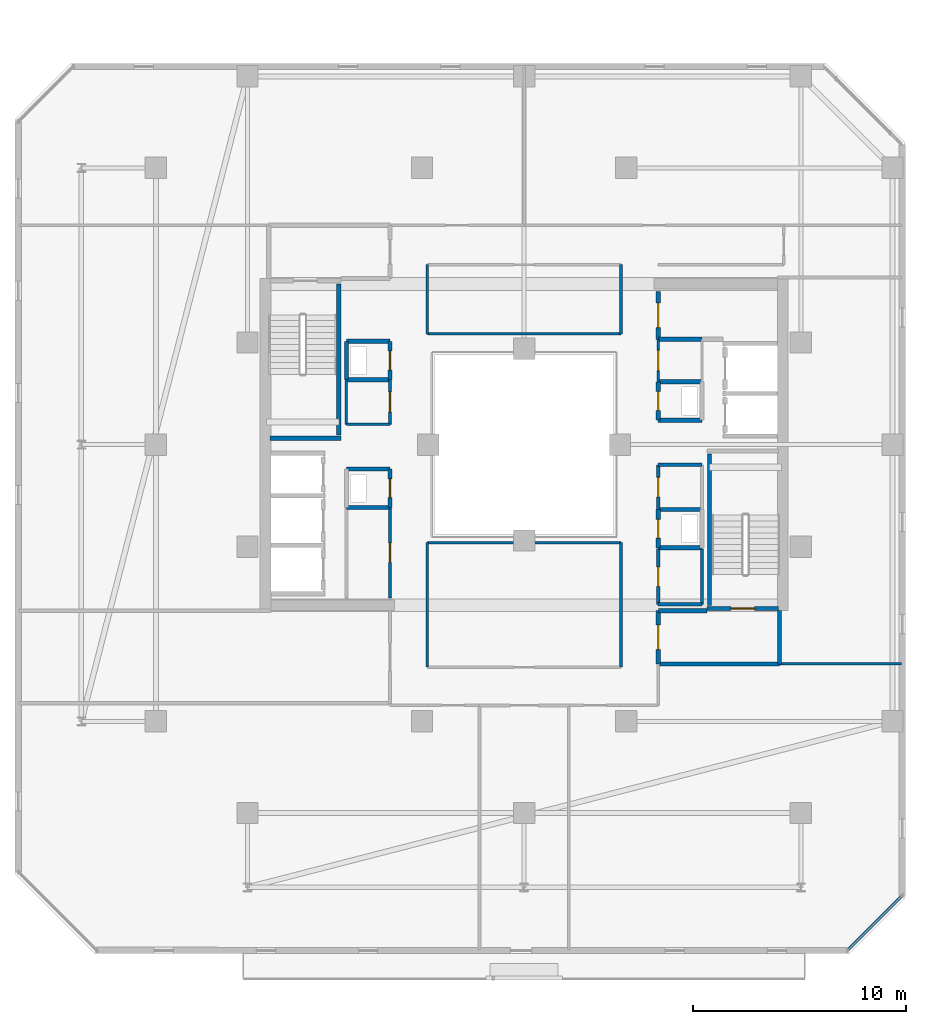
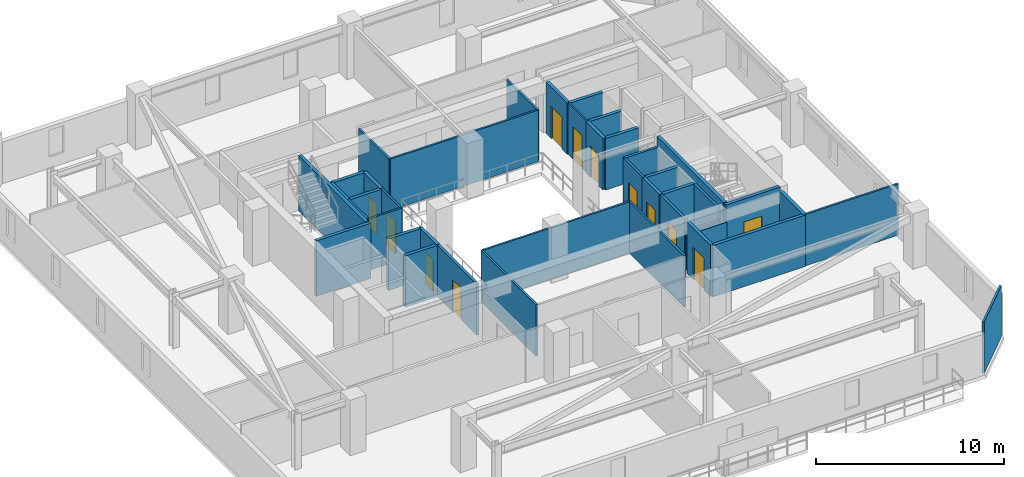
# One storey, part 24 of 33: 41 walls, 12 doors, 12 openings.
"""IFC4 building model written with IfcOpenShell, lengths in metres."""

from ifc_helpers import new_model, si_unit, direction, frame, frame_2d, origin, place, context, subcontext, project, spatial, rectangle, extrude, material, layer, layer_set, type_object, element, fill, save


model = new_model("IFC4")

# Units and contexts
model_context = context("Model", 3, precision=1e-05, world=origin(), true_north=direction((0.0, 1.0)))
body_context = subcontext(model_context, "Body", "Model", "MODEL_VIEW")
ifc_project = project(units=[si_unit("LENGTHUNIT", "METRE"), si_unit("AREAUNIT", "SQUARE_METRE"), si_unit("VOLUMEUNIT", "CUBIC_METRE"), si_unit("PLANEANGLEUNIT", "RADIAN"), si_unit("MASSUNIT", "GRAM", prefix="KILO")], contexts=[model_context])

# Site, building, storey
site_placement = place(None, origin())
site = spatial("IfcSite", under=ifc_project, at=site_placement, CompositionType="ELEMENT")
building_placement = place(site_placement, origin())
building = spatial("IfcBuilding", under=site, at=building_placement, Name="Thornwick Lancets Civic Towers", CompositionType="ELEMENT")
storey_placement = place(building_placement, frame((0.0, 0.0, 207.300048828125)))
storey = spatial("IfcBuildingStorey", under=building, at=storey_placement, Name="L55", CompositionType="ELEMENT", Elevation=207.300048828125)

# Walls
ifc_material_1 = material(Name="Concrete blockwork C40/50", Category="masonry")
ifc_layer_1 = layer(ifc_material_1, 0.199951171875, Name="Concrete blockwork C40/50")
ifc_layer_set_1 = layer_set([ifc_layer_1], Name="Concrete blockwork C40/50")
wall_type_1 = type_object("IfcWallType", Name="WALL_COMP_200", PredefinedType="STANDARD", material=ifc_layer_set_1)
wall_1_placement = place(storey_placement, frame((94.800048828125, 16.699951171875, 0.0), z_axis=(0.0, 0.0, 1.0), x_axis=(1.0, 0.0, 0.0)))
element("IfcWall", 1, at=wall_1_placement, inside=storey, type_object=wall_type_1, Name="L55 Partition L55-B-FFLOB1 E1", PredefinedType="STANDARD", context=body_context, shape_type="SweptSolid", body=[
    extrude(rectangle(XDim=5.699951171875, YDim=0.199951171875, at=frame_2d((2.85009765625, 0.0))), origin(), (0.0, 0.0, 1.0), 3.33984375),
])
wall_2_placement = place(storey_placement, frame((100.5, 16.699951171875, 0.0), z_axis=(0.0, 0.0, 1.0), x_axis=(0.0, 1.0, 0.0)))
element("IfcWall", 2, at=wall_2_placement, inside=storey, type_object=wall_type_1, Name="L55 Partition L55-B-FFLOB1 E2", PredefinedType="STANDARD", context=body_context, shape_type="SweptSolid", body=[
    extrude(rectangle(XDim=2.5, YDim=0.199951171875, at=frame_2d((1.25, 0.0))), origin(), (0.0, 0.0, 1.0), 3.33984375),
])
wall_3_placement = place(storey_placement, frame((97.10009765625, 19.199951171875, 0.0), z_axis=(0.0, 0.0, 1.0), x_axis=(-1.0, 0.0, 0.0)))
element("IfcWall", 3, at=wall_3_placement, inside=storey, type_object=wall_type_1, Name="L55 Partition L55-B-FFLOB1 E3", PredefinedType="STANDARD", context=body_context, shape_type="SweptSolid", body=[
    extrude(rectangle(XDim=2.300048828125, YDim=0.199951171875, at=frame_2d((1.14990234375, 0.0))), origin(), (0.0, 0.0, 1.0), 2.544921875),
])

# Wall, opening, door
wall_4_placement = place(storey_placement, frame((94.800048828125, 19.199951171875, 0.0), z_axis=(0.0, 0.0, 1.0), x_axis=(0.0, -1.0, 0.0)))
wall_4 = element("IfcWall", 4, at=wall_4_placement, inside=storey, type_object=wall_type_1, Name="L55 Partition L55-B-FFLOB1 E4", PredefinedType="STANDARD", context=body_context, shape_type="SweptSolid", body=[
    extrude(rectangle(XDim=2.5, YDim=0.199951171875, at=frame_2d((1.25, 0.0))), origin(), (0.0, 0.0, 1.0), 3.33984375),
])
opening_1_placement = place(wall_4_placement, frame((0.675048828125, 0.0, 0.0)))
opening_1 = element("IfcOpeningElement", 5, at=opening_1_placement, cuts=wall_4, Name="Opening D-L55-2445", PredefinedType="OPENING", context=body_context, shape_type="SweptSolid", body=[
    extrude(rectangle(XDim=1.14990234375, YDim=2.10009765625, at=frame_2d((0.574951171875, 1.050048828125))), frame((0.0, 0.10986328125, 0.0), z_axis=(0.0, -1.0, 0.0), x_axis=(1.0, 0.0, 0.0)), (0.0, 0.0, 1.0), 0.219970703125),
])
ifc_material_2 = material(Name="Glazed fire-resisting steel", Category="steel")
door_type_1 = type_object("IfcDoorType", Name="DOOR_LOBBY_FD60", OperationType="NOTDEFINED", PredefinedType="DOOR", material=ifc_material_2)
door_1_placement = place(opening_1_placement, origin())
door_1 = element("IfcDoor", 6, at=door_1_placement, inside=storey, type_object=door_type_1, Name="L55 East Firefighting Lobby 1 Door", OperationType="SINGLE_SWING_RIGHT", OverallHeight=2.10009765625, OverallWidth=1.14990234375, PredefinedType="DOOR", context=body_context, shape_type="SweptSolid", body=[
    extrude(rectangle(XDim=1.14990234375, YDim=2.10009765625, at=frame_2d((0.574951171875, 1.050048828125))), frame((0.0, 0.02490234375, 0.0), z_axis=(0.0, -1.0, 0.0), x_axis=(1.0, 0.0, 0.0)), (0.0, 0.0, 1.0), 0.050048828125),
])
fill(opening_1, door_1)

# Walls
for number, where, z_axis, x_axis, name in (
    (7, (94.800048828125, 28.14990234375, 0.0), (0.0, 0.0, 1.0), (1.0, 0.0, 0.0), "L55 Partition L55-B-DUCT1 E1"),
    (8, (96.85009765625, 29.949951171875, 0.0), (0.0, 0.0, 1.0), (-1.0, 0.0, 0.0), "L55 Partition L55-B-DUCT1 E3"),
):
    element("IfcWall", number, at=place(storey_placement, frame(where, z_axis=z_axis, x_axis=x_axis)), inside=storey, type_object=wall_type_1, Name=name, PredefinedType="STANDARD", context=body_context, shape_type="SweptSolid", body=[
        extrude(rectangle(XDim=2.050048828125, YDim=0.199951171875, at=frame_2d((1.02490234375, 0.0))), origin(), (0.0, 0.0, 1.0), 3.33984375),
    ])

# Wall, opening, door
wall_5_placement = place(storey_placement, frame((94.800048828125, 29.949951171875, 0.0), z_axis=(0.0, 0.0, 1.0), x_axis=(0.0, -1.0, 0.0)))
wall_5 = element("IfcWall", 9, at=wall_5_placement, inside=storey, type_object=wall_type_1, Name="L55 Partition L55-B-DUCT1 E4", PredefinedType="STANDARD", context=body_context, shape_type="SweptSolid", body=[
    extrude(rectangle(XDim=1.800048828125, YDim=0.199951171875, at=frame_2d((0.89990234375, 0.0))), origin(), (0.0, 0.0, 1.0), 3.33984375),
])
opening_2_placement = place(wall_5_placement, frame((0.4599609375, 0.0, 0.0)))
opening_2 = element("IfcOpeningElement", 10, at=opening_2_placement, cuts=wall_5, Name="Opening D-L55-2447", PredefinedType="OPENING", context=body_context, shape_type="SweptSolid", body=[
    extrude(rectangle(XDim=0.8798828125, YDim=2.0400390625, at=frame_2d((0.43994140625, 1.02001953125))), frame((0.0, 0.10986328125, 0.0), z_axis=(0.0, -1.0, 0.0), x_axis=(1.0, 0.0, 0.0)), (0.0, 0.0, 1.0), 0.219970703125),
])
ifc_material_3 = material(Name="Steel riser access doorset", Category="steel")
door_type_2 = type_object("IfcDoorType", Name="DOOR_RISER_850", OperationType="NOTDEFINED", PredefinedType="DOOR", material=ifc_material_3)
door_2_placement = place(opening_2_placement, origin())
door_2 = element("IfcDoor", 11, at=door_2_placement, inside=storey, type_object=door_type_2, Name="L55 East Service Duct 1 Door", OperationType="SINGLE_SWING_RIGHT", OverallHeight=2.0400390625, OverallWidth=0.8798828125, PredefinedType="DOOR", context=body_context, shape_type="SweptSolid", body=[
    extrude(rectangle(XDim=0.8798828125, YDim=2.0400390625, at=frame_2d((0.43994140625, 1.02001953125))), frame((0.0, 0.02490234375, 0.0), z_axis=(0.0, -1.0, 0.0), x_axis=(1.0, 0.0, 0.0)), (0.0, 0.0, 1.0), 0.050048828125),
])
fill(opening_2, door_2)

# Walls
for number, where, z_axis, x_axis, name in (
    (12, (94.800048828125, 22.14990234375, 0.0), (0.0, 0.0, 1.0), (1.0, 0.0, 0.0), "L55 Partition L55-B-RISER1 E1"),
    (13, (96.85009765625, 23.949951171875, 0.0), (0.0, 0.0, 1.0), (-1.0, 0.0, 0.0), "L55 Partition L55-B-RISER1 E3"),
):
    element("IfcWall", number, at=place(storey_placement, frame(where, z_axis=z_axis, x_axis=x_axis)), inside=storey, type_object=wall_type_1, Name=name, PredefinedType="STANDARD", context=body_context, shape_type="SweptSolid", body=[
        extrude(rectangle(XDim=2.050048828125, YDim=0.199951171875, at=frame_2d((1.02490234375, 0.0))), origin(), (0.0, 0.0, 1.0), 3.33984375),
    ])

# Wall, opening, door
wall_6_placement = place(storey_placement, frame((94.800048828125, 23.949951171875, 0.0), z_axis=(0.0, 0.0, 1.0), x_axis=(0.0, -1.0, 0.0)))
wall_6 = element("IfcWall", 14, at=wall_6_placement, inside=storey, type_object=wall_type_1, Name="L55 Partition L55-B-RISER1 E4", PredefinedType="STANDARD", context=body_context, shape_type="SweptSolid", body=[
    extrude(rectangle(XDim=1.800048828125, YDim=0.199951171875, at=frame_2d((0.89990234375, 0.0))), origin(), (0.0, 0.0, 1.0), 3.33984375),
])
opening_3_placement = place(wall_6_placement, frame((0.4599609375, 0.0, 0.0)))
opening_3 = element("IfcOpeningElement", 15, at=opening_3_placement, cuts=wall_6, Name="Opening D-L55-2448", PredefinedType="OPENING", context=body_context, shape_type="SweptSolid", body=[
    extrude(rectangle(XDim=0.8798828125, YDim=2.0400390625, at=frame_2d((0.43994140625, 1.02001953125))), frame((0.0, 0.10986328125, 0.0), z_axis=(0.0, -1.0, 0.0), x_axis=(1.0, 0.0, 0.0)), (0.0, 0.0, 1.0), 0.219970703125),
])
door_3_placement = place(opening_3_placement, origin())
door_3 = element("IfcDoor", 16, at=door_3_placement, inside=storey, type_object=door_type_2, Name="L55 East Electrical Riser 1 Door", OperationType="SINGLE_SWING_LEFT", OverallHeight=2.0400390625, OverallWidth=0.8798828125, PredefinedType="DOOR", context=body_context, shape_type="SweptSolid", body=[
    extrude(rectangle(XDim=0.8798828125, YDim=2.0400390625, at=frame_2d((0.43994140625, 1.02001953125))), frame((0.0, 0.02490234375, 0.0), z_axis=(0.0, -1.0, 0.0), x_axis=(1.0, 0.0, 0.0)), (0.0, 0.0, 1.0), 0.050048828125),
])
fill(opening_3, door_3)

# Wall
wall_7_placement = place(storey_placement, frame((80.14990234375, 24.050048828125, 0.0), z_axis=(0.0, 0.0, 1.0), x_axis=(1.0, 0.0, 0.0)))
element("IfcWall", 17, at=wall_7_placement, inside=storey, type_object=wall_type_1, Name="L55 Partition L55-B-DUCT2 E1", PredefinedType="STANDARD", context=body_context, shape_type="SweptSolid", body=[
    extrude(rectangle(XDim=2.050048828125, YDim=0.199951171875, at=frame_2d((1.02490234375, 0.0))), origin(), (0.0, 0.0, 1.0), 3.33984375),
])

# Wall, opening, door
wall_8_placement = place(storey_placement, frame((82.199951171875, 24.050048828125, 0.0), z_axis=(0.0, 0.0, 1.0), x_axis=(0.0, 1.0, 0.0)))
wall_8 = element("IfcWall", 18, at=wall_8_placement, inside=storey, type_object=wall_type_1, Name="L55 Partition L55-B-DUCT2 E2", PredefinedType="STANDARD", context=body_context, shape_type="SweptSolid", body=[
    extrude(rectangle(XDim=1.800048828125, YDim=0.199951171875, at=frame_2d((0.89990234375, 0.0))), origin(), (0.0, 0.0, 1.0), 3.33984375),
])
opening_4_placement = place(wall_8_placement, frame((0.4599609375, 0.0, 0.0)))
opening_4 = element("IfcOpeningElement", 19, at=opening_4_placement, cuts=wall_8, Name="Opening D-L55-2449", PredefinedType="OPENING", context=body_context, shape_type="SweptSolid", body=[
    extrude(rectangle(XDim=0.8798828125, YDim=2.0400390625, at=frame_2d((0.43994140625, 1.02001953125))), frame((0.0, 0.10986328125, 0.0), z_axis=(0.0, -1.0, 0.0), x_axis=(1.0, 0.0, 0.0)), (0.0, 0.0, 1.0), 0.219970703125),
])
door_4_placement = place(opening_4_placement, origin())
door_4 = element("IfcDoor", 20, at=door_4_placement, inside=storey, type_object=door_type_2, Name="L55 West Service Duct 2 Door", OperationType="SINGLE_SWING_RIGHT", OverallHeight=2.0400390625, OverallWidth=0.8798828125, PredefinedType="DOOR", context=body_context, shape_type="SweptSolid", body=[
    extrude(rectangle(XDim=0.8798828125, YDim=2.0400390625, at=frame_2d((0.43994140625, 1.02001953125))), frame((0.0, 0.02490234375, 0.0), z_axis=(0.0, -1.0, 0.0), x_axis=(1.0, 0.0, 0.0)), (0.0, 0.0, 1.0), 0.050048828125),
])
fill(opening_4, door_4)

# Walls
for number, where, z_axis, x_axis, name in (
    (21, (82.199951171875, 25.85009765625, 0.0), (0.0, 0.0, 1.0), (-1.0, 0.0, 0.0), "L55 Partition L55-B-DUCT2 E3"),
    (22, (80.14990234375, 30.050048828125, 0.0), (0.0, 0.0, 1.0), (1.0, 0.0, 0.0), "L55 Partition L55-B-RISER2 E1"),
):
    element("IfcWall", number, at=place(storey_placement, frame(where, z_axis=z_axis, x_axis=x_axis)), inside=storey, type_object=wall_type_1, Name=name, PredefinedType="STANDARD", context=body_context, shape_type="SweptSolid", body=[
        extrude(rectangle(XDim=2.050048828125, YDim=0.199951171875, at=frame_2d((1.02490234375, 0.0))), origin(), (0.0, 0.0, 1.0), 3.33984375),
    ])

# Wall, opening, door
wall_9_placement = place(storey_placement, frame((82.199951171875, 30.050048828125, 0.0), z_axis=(0.0, 0.0, 1.0), x_axis=(0.0, 1.0, 0.0)))
wall_9 = element("IfcWall", 23, at=wall_9_placement, inside=storey, type_object=wall_type_1, Name="L55 Partition L55-B-RISER2 E2", PredefinedType="STANDARD", context=body_context, shape_type="SweptSolid", body=[
    extrude(rectangle(XDim=1.800048828125, YDim=0.199951171875, at=frame_2d((0.89990234375, 0.0))), origin(), (0.0, 0.0, 1.0), 3.33984375),
])
opening_5_placement = place(wall_9_placement, frame((0.4599609375, 0.0, 0.0)))
opening_5 = element("IfcOpeningElement", 24, at=opening_5_placement, cuts=wall_9, Name="Opening D-L55-2450", PredefinedType="OPENING", context=body_context, shape_type="SweptSolid", body=[
    extrude(rectangle(XDim=0.8798828125, YDim=2.0400390625, at=frame_2d((0.43994140625, 1.02001953125))), frame((0.0, 0.10986328125, 0.0), z_axis=(0.0, -1.0, 0.0), x_axis=(1.0, 0.0, 0.0)), (0.0, 0.0, 1.0), 0.219970703125),
])
door_5_placement = place(opening_5_placement, origin())
door_5 = element("IfcDoor", 25, at=door_5_placement, inside=storey, type_object=door_type_2, Name="L55 West Service Riser 2 Door", OperationType="SINGLE_SWING_LEFT", OverallHeight=2.0400390625, OverallWidth=0.8798828125, PredefinedType="DOOR", context=body_context, shape_type="SweptSolid", body=[
    extrude(rectangle(XDim=0.8798828125, YDim=2.0400390625, at=frame_2d((0.43994140625, 1.02001953125))), frame((0.0, 0.02490234375, 0.0), z_axis=(0.0, -1.0, 0.0), x_axis=(1.0, 0.0, 0.0)), (0.0, 0.0, 1.0), 0.050048828125),
])
fill(opening_5, door_5)

# Walls
wall_10_placement = place(storey_placement, frame((82.199951171875, 31.85009765625, 0.0), z_axis=(0.0, 0.0, 1.0), x_axis=(-1.0, 0.0, 0.0)))
element("IfcWall", 26, at=wall_10_placement, inside=storey, type_object=wall_type_1, Name="L55 Partition L55-B-RISER2 E3", PredefinedType="STANDARD", context=body_context, shape_type="SweptSolid", body=[
    extrude(rectangle(XDim=2.050048828125, YDim=0.199951171875, at=frame_2d((1.02490234375, 0.0))), origin(), (0.0, 0.0, 1.0), 3.33984375),
])
wall_11_placement = place(storey_placement, frame((80.14990234375, 31.85009765625, 0.0), z_axis=(0.0, 0.0, 1.0), x_axis=(0.0, -1.0, 0.0)))
element("IfcWall", 27, at=wall_11_placement, inside=storey, type_object=wall_type_1, Name="L55 Partition L55-B-RISER2 E4", PredefinedType="STANDARD", context=body_context, shape_type="SweptSolid", body=[
    extrude(rectangle(XDim=1.800048828125, YDim=0.199951171875, at=frame_2d((0.89990234375, 0.0))), origin(), (0.0, 0.0, 1.0), 3.33984375),
])

# Wall, opening, door
wall_12_placement = place(storey_placement, frame((94.800048828125, 31.949951171875, 0.0), z_axis=(0.0, 0.0, 1.0), x_axis=(0.0, 1.0, 0.0)))
wall_12 = element("IfcWall", 28, at=wall_12_placement, inside=storey, type_object=wall_type_1, Name="L55 Partition L55-B-ITR2 E1", PredefinedType="STANDARD", context=body_context, shape_type="SweptSolid", body=[
    extrude(rectangle(XDim=2.25, YDim=0.199951171875, at=frame_2d((1.125, 0.0))), origin(), (0.0, 0.0, 1.0), 3.33984375),
])
opening_6_placement = place(wall_12_placement, frame((0.550048828125, 0.0, 0.0)))
opening_6 = element("IfcOpeningElement", 29, at=opening_6_placement, cuts=wall_12, Name="Opening D-L55-2454", PredefinedType="OPENING", context=body_context, shape_type="SweptSolid", body=[
    extrude(rectangle(XDim=1.14990234375, YDim=2.10009765625, at=frame_2d((0.574951171875, 1.050048828125))), frame((0.0, 0.10986328125, 0.0), z_axis=(0.0, -1.0, 0.0), x_axis=(1.0, 0.0, 0.0)), (0.0, 0.0, 1.0), 0.219970703125),
])
door_6_placement = place(opening_6_placement, origin())
door_6 = element("IfcDoor", 30, at=door_6_placement, inside=storey, type_object=door_type_1, Name="L55 Tower B Statutory Core Archive Door", OperationType="SINGLE_SWING_LEFT", OverallHeight=2.10009765625, OverallWidth=1.14990234375, PredefinedType="DOOR", context=body_context, shape_type="SweptSolid", body=[
    extrude(rectangle(XDim=1.14990234375, YDim=2.10009765625, at=frame_2d((0.574951171875, 1.050048828125))), frame((0.0, 0.02490234375, 0.0), z_axis=(0.0, -1.0, 0.0), x_axis=(1.0, 0.0, 0.0)), (0.0, 0.0, 1.0), 0.050048828125),
])
fill(opening_6, door_6)

# Wall
wall_13_placement = place(storey_placement, frame((96.85009765625, 31.949951171875, 0.0), z_axis=(0.0, 0.0, 1.0), x_axis=(-1.0, 0.0, 0.0)))
element("IfcWall", 31, at=wall_13_placement, inside=storey, type_object=wall_type_1, Name="L55 Partition L55-B-ITR2 E5", PredefinedType="STANDARD", context=body_context, shape_type="SweptSolid", body=[
    extrude(rectangle(XDim=2.050048828125, YDim=0.199951171875, at=frame_2d((1.02490234375, 0.0))), origin(), (0.0, 0.0, 1.0), 3.33984375),
])

# Wall, opening, door
ifc_material_4 = material(Name="Lightweight cellular office partition")
ifc_layer_2 = layer(ifc_material_4, 0.10009765625, Name="Lightweight cellular office partition")
ifc_layer_set_2 = layer_set([ifc_layer_2], Name="Lightweight cellular office partition")
wall_type_2 = type_object("IfcWallType", Name="WALL_PART_100", PredefinedType="PARTITIONING", material=ifc_layer_set_2)
wall_14_placement = place(storey_placement, frame((94.800048828125, 29.949951171875, 0.0), z_axis=(0.0, 0.0, 1.0), x_axis=(0.0, 1.0, 0.0)))
wall_14 = element("IfcWall", 32, at=wall_14_placement, inside=storey, type_object=wall_type_2, Name="L55 Partition L55-B-CLN E1", PredefinedType="PARTITIONING", context=body_context, shape_type="SweptSolid", body=[
    extrude(rectangle(XDim=2.0, YDim=0.10009765625, at=frame_2d((1.0, 0.0))), origin(), (0.0, 0.0, 1.0), 3.33984375),
])
opening_7_placement = place(wall_14_placement, frame((0.52490234375, 0.0, 0.0)))
opening_7 = element("IfcOpeningElement", 33, at=opening_7_placement, cuts=wall_14, Name="Opening D-L55-2453", PredefinedType="OPENING", context=body_context, shape_type="SweptSolid", body=[
    extrude(rectangle(XDim=0.949951171875, YDim=2.10009765625, at=frame_2d((0.47509765625, 1.050048828125))), frame((0.0, 0.06005859375, 0.0), z_axis=(0.0, -1.0, 0.0), x_axis=(1.0, 0.0, 0.0)), (0.0, 0.0, 1.0), 0.1201171875),
])
ifc_material_5 = material(Name="European oak acoustic doorset")
door_type_3 = type_object("IfcDoorType", Name="DOOR_OFFICE_950", OperationType="NOTDEFINED", PredefinedType="DOOR", material=ifc_material_5)
door_7_placement = place(opening_7_placement, origin())
door_7 = element("IfcDoor", 34, at=door_7_placement, inside=storey, type_object=door_type_3, Name="L55 Tower B Cleaners Store Door", OperationType="SINGLE_SWING_RIGHT", OverallHeight=2.10009765625, OverallWidth=0.949951171875, PredefinedType="DOOR", context=body_context, shape_type="SweptSolid", body=[
    extrude(rectangle(XDim=0.949951171875, YDim=2.10009765625, at=frame_2d((0.47509765625, 1.050048828125))), frame((0.0, 0.02490234375, 0.0), z_axis=(0.0, -1.0, 0.0), x_axis=(1.0, 0.0, 0.0)), (0.0, 0.0, 1.0), 0.050048828125),
])
fill(opening_7, door_7)

# Walls
ifc_material_6 = material(Name="Acoustic gypsum board partition")
ifc_layer_3 = layer(ifc_material_6, 0.1201171875, Name="Acoustic gypsum board partition")
ifc_layer_set_3 = layer_set([ifc_layer_3], Name="Acoustic gypsum board partition")
wall_type_3 = type_object("IfcWallType", Name="WALL_PART_120", PredefinedType="PARTITIONING", material=ifc_layer_set_3)
wall_15_placement = place(storey_placement, frame((82.199951171875, 27.949951171875, 0.0), z_axis=(0.0, 0.0, 1.0), x_axis=(-1.0, 0.0, 0.0)))
element("IfcWall", 35, at=wall_15_placement, inside=storey, type_object=wall_type_3, Name="L55 Partition L55-B-ITR E1", PredefinedType="PARTITIONING", context=body_context, shape_type="SweptSolid", body=[
    extrude(rectangle(XDim=2.050048828125, YDim=0.1201171875, at=frame_2d((1.02490234375, 0.0))), origin(), (0.0, 0.0, 1.0), 3.33984375),
])
wall_16_placement = place(storey_placement, frame((80.14990234375, 27.949951171875, 0.0), z_axis=(0.0, 0.0, 1.0), x_axis=(0.0, 1.0, 0.0)))
element("IfcWall", 36, at=wall_16_placement, inside=storey, type_object=wall_type_3, Name="L55 Partition L55-B-ITR E2", PredefinedType="PARTITIONING", context=body_context, shape_type="SweptSolid", body=[
    extrude(rectangle(XDim=2.10009765625, YDim=0.1201171875, at=frame_2d((1.050048828125, 0.0))), origin(), (0.0, 0.0, 1.0), 3.33984375),
])

# Wall, opening, door
wall_17_placement = place(storey_placement, frame((82.199951171875, 30.050048828125, 0.0), z_axis=(0.0, 0.0, 1.0), x_axis=(0.0, -1.0, 0.0)))
wall_17 = element("IfcWall", 37, at=wall_17_placement, inside=storey, type_object=wall_type_3, Name="L55 Partition L55-B-ITR E4", PredefinedType="PARTITIONING", context=body_context, shape_type="SweptSolid", body=[
    extrude(rectangle(XDim=2.10009765625, YDim=0.1201171875, at=frame_2d((1.050048828125, 0.0))), origin(), (0.0, 0.0, 1.0), 3.33984375),
])
opening_8_placement = place(wall_17_placement, frame((0.574951171875, 0.0, 0.0)))
opening_8 = element("IfcOpeningElement", 38, at=opening_8_placement, cuts=wall_17, Name="Opening D-L55-2456", PredefinedType="OPENING", context=body_context, shape_type="SweptSolid", body=[
    extrude(rectangle(XDim=0.949951171875, YDim=2.10009765625, at=frame_2d((0.47509765625, 1.050048828125))), frame((0.0, 0.070068359375, 0.0), z_axis=(0.0, -1.0, 0.0), x_axis=(1.0, 0.0, 0.0)), (0.0, 0.0, 1.0), 0.14013671875),
])
door_8_placement = place(opening_8_placement, origin())
door_8 = element("IfcDoor", 39, at=door_8_placement, inside=storey, type_object=door_type_3, Name="L55 Tower B Comms Patch Room Door", OperationType="SINGLE_SWING_LEFT", OverallHeight=2.10009765625, OverallWidth=0.949951171875, PredefinedType="DOOR", context=body_context, shape_type="SweptSolid", body=[
    extrude(rectangle(XDim=0.949951171875, YDim=2.10009765625, at=frame_2d((0.47509765625, 1.050048828125))), frame((0.0, 0.02490234375, 0.0), z_axis=(0.0, -1.0, 0.0), x_axis=(1.0, 0.0, 0.0)), (0.0, 0.0, 1.0), 0.050048828125),
])
fill(opening_8, door_8)

# Walls
wall_18_placement = place(storey_placement, frame((100.5, 16.699951171875, 0.0), z_axis=(0.0, 0.0, 1.0), x_axis=(1.0, 0.0, 0.0)))
element("IfcWall", 40, at=wall_18_placement, inside=storey, type_object=wall_type_3, Name="L55 Partition L55-B-W1 E7", PredefinedType="PARTITIONING", context=body_context, shape_type="SweptSolid", body=[
    extrude(rectangle(XDim=5.719970703125, YDim=0.1201171875, at=frame_2d((2.85986328125, 0.0))), origin(), (0.0, 0.0, 1.0), 3.33984375),
])
wall_19_placement = place(storey_placement, frame((106.219970703125, 5.774658203125, 0.0), z_axis=(0.0, 0.0, 1.0), x_axis=(-0.707106781187, -0.707106781187, 0.0)))
element("IfcWall", 41, at=wall_19_placement, inside=storey, type_object=wall_type_3, Name="L55 Partition L55-B-W1 E9", PredefinedType="PARTITIONING", context=body_context, shape_type="SweptSolid", body=[
    extrude(rectangle(XDim=3.52783203125, YDim=0.1201171875, at=frame_2d((1.763916015625, 0.0))), origin(), (0.0, 0.0, 1.0), 3.33984375),
])
wall_20_placement = place(storey_placement, frame((83.949951171875, 16.550048828125, 0.0), z_axis=(0.0, 0.0, 1.0), x_axis=(0.0, 1.0, 0.0)))
element("IfcWall", 42, at=wall_20_placement, inside=storey, type_object=wall_type_3, Name="L55 Partition L55-B-W3 E1", PredefinedType="PARTITIONING", context=body_context, shape_type="SweptSolid", body=[
    extrude(rectangle(XDim=5.849853515625, YDim=0.1201171875, at=frame_2d((2.9248046875, 0.0))), origin(), (0.0, 0.0, 1.0), 3.33984375),
])
wall_21_placement = place(storey_placement, frame((83.949951171875, 22.39990234375, 0.0), z_axis=(0.0, 0.0, 1.0), x_axis=(1.0, 0.0, 0.0)))
element("IfcWall", 43, at=wall_21_placement, inside=storey, type_object=wall_type_3, Name="L55 Partition L55-B-W3 E2", PredefinedType="PARTITIONING", context=body_context, shape_type="SweptSolid", body=[
    extrude(rectangle(XDim=9.10009765625, YDim=0.1201171875, at=frame_2d((4.550048828125, 0.0))), origin(), (0.0, 0.0, 1.0), 3.33984375),
])
wall_22_placement = place(storey_placement, frame((93.050048828125, 22.39990234375, 0.0), z_axis=(0.0, 0.0, 1.0), x_axis=(0.0, -1.0, 0.0)))
element("IfcWall", 44, at=wall_22_placement, inside=storey, type_object=wall_type_3, Name="L55 Partition L55-B-W3 E3", PredefinedType="PARTITIONING", context=body_context, shape_type="SweptSolid", body=[
    extrude(rectangle(XDim=5.849853515625, YDim=0.1201171875, at=frame_2d((2.9248046875, 0.0))), origin(), (0.0, 0.0, 1.0), 3.33984375),
])
for number, where, z_axis, x_axis, name in (
    (45, (83.949951171875, 32.199951171875, 0.0), (0.0, 0.0, 1.0), (0.0, 1.0, 0.0), "L55 Partition L55-B-E-ATRIUM-OFF E1"),
    (46, (93.050048828125, 35.449951171875, 0.0), (0.0, 0.0, 1.0), (0.0, -1.0, 0.0), "L55 Partition L55-B-E-ATRIUM-OFF E3"),
):
    element("IfcWall", number, at=place(storey_placement, frame(where, z_axis=z_axis, x_axis=x_axis)), inside=storey, type_object=wall_type_3, Name=name, PredefinedType="PARTITIONING", context=body_context, shape_type="SweptSolid", body=[
        extrude(rectangle(XDim=3.25, YDim=0.1201171875, at=frame_2d((1.625, 0.0))), origin(), (0.0, 0.0, 1.0), 3.33984375),
    ])
wall_23_placement = place(storey_placement, frame((93.050048828125, 32.199951171875, 0.0), z_axis=(0.0, 0.0, 1.0), x_axis=(-1.0, 0.0, 0.0)))
element("IfcWall", 47, at=wall_23_placement, inside=storey, type_object=wall_type_3, Name="L55 Partition L55-B-E-ATRIUM-OFF E4", PredefinedType="PARTITIONING", context=body_context, shape_type="SweptSolid", body=[
    extrude(rectangle(XDim=9.10009765625, YDim=0.1201171875, at=frame_2d((4.550048828125, 0.0))), origin(), (0.0, 0.0, 1.0), 3.33984375),
])
ifc_material_7 = material(Name="Twin-stud acoustic gypsum board")
ifc_layer_4 = layer(ifc_material_7, 0.14990234375, Name="Twin-stud acoustic gypsum board")
ifc_layer_set_4 = layer_set([ifc_layer_4], Name="Twin-stud acoustic gypsum board")
wall_type_4 = type_object("IfcWallType", Name="WALL_PART_150", PredefinedType="PARTITIONING", material=ifc_layer_set_4)
wall_24_placement = place(storey_placement, frame((94.800048828125, 19.5, 0.0), z_axis=(0.0, 0.0, 1.0), x_axis=(1.0, 0.0, 0.0)))
element("IfcWall", 48, at=wall_24_placement, inside=storey, type_object=wall_type_4, Name="L55 Partition L55-B-MWC E1", PredefinedType="PARTITIONING", context=body_context, shape_type="SweptSolid", body=[
    extrude(rectangle(XDim=2.050048828125, YDim=0.14990234375, at=frame_2d((1.02490234375, 0.0))), origin(), (0.0, 0.0, 1.0), 2.544921875),
])
wall_25_placement = place(storey_placement, frame((96.85009765625, 19.5, 0.0), z_axis=(0.0, 0.0, 1.0), x_axis=(0.0, 1.0, 0.0)))
element("IfcWall", 49, at=wall_25_placement, inside=storey, type_object=wall_type_4, Name="L55 Partition L55-B-MWC E2", PredefinedType="PARTITIONING", context=body_context, shape_type="SweptSolid", body=[
    extrude(rectangle(XDim=2.60009765625, YDim=0.14990234375, at=frame_2d((1.300048828125, 0.0))), origin(), (0.0, 0.0, 1.0), 3.33984375),
])

# Wall, opening, door
wall_26_placement = place(storey_placement, frame((94.800048828125, 22.10009765625, 0.0), z_axis=(0.0, 0.0, 1.0), x_axis=(0.0, -1.0, 0.0)))
wall_26 = element("IfcWall", 50, at=wall_26_placement, inside=storey, type_object=wall_type_4, Name="L55 Partition L55-B-MWC E4", PredefinedType="PARTITIONING", context=body_context, shape_type="SweptSolid", body=[
    extrude(rectangle(XDim=2.60009765625, YDim=0.14990234375, at=frame_2d((1.300048828125, 0.0))), origin(), (0.0, 0.0, 1.0), 3.33984375),
])
opening_9_placement = place(wall_26_placement, frame((0.840087890625, 0.0, 0.0)))
opening_9 = element("IfcOpeningElement", 51, at=opening_9_placement, cuts=wall_26, Name="Opening D-L55-2451", PredefinedType="OPENING", context=body_context, shape_type="SweptSolid", body=[
    extrude(rectangle(XDim=0.919921875, YDim=2.080078125, at=frame_2d((0.4599609375, 1.0400390625))), frame((0.0, 0.0849609375, 0.0), z_axis=(0.0, -1.0, 0.0), x_axis=(1.0, 0.0, 0.0)), (0.0, 0.0, 1.0), 0.169921875),
])
ifc_material_8 = material(Name="Moisture-resistant oak doorset")
door_type_4 = type_object("IfcDoorType", Name="DOOR_WC_900", OperationType="NOTDEFINED", PredefinedType="DOOR", material=ifc_material_8)
door_9_placement = place(opening_9_placement, origin())
door_9 = element("IfcDoor", 52, at=door_9_placement, inside=storey, type_object=door_type_4, Name="L55 Tower B Male WC Door", OperationType="SINGLE_SWING_RIGHT", OverallHeight=2.080078125, OverallWidth=0.919921875, PredefinedType="DOOR", context=body_context, shape_type="SweptSolid", body=[
    extrude(rectangle(XDim=0.919921875, YDim=2.080078125, at=frame_2d((0.4599609375, 1.0400390625))), frame((0.0, 0.02490234375, 0.0), z_axis=(0.0, -1.0, 0.0), x_axis=(1.0, 0.0, 0.0)), (0.0, 0.0, 1.0), 0.050048828125),
])
fill(opening_9, door_9)

wall_27_placement = place(storey_placement, frame((94.800048828125, 23.949951171875, 0.0), z_axis=(0.0, 0.0, 1.0), x_axis=(0.0, 1.0, 0.0)))
wall_27 = element("IfcWall", 53, at=wall_27_placement, inside=storey, type_object=wall_type_4, Name="L55 Partition L55-B-AWC E1", PredefinedType="PARTITIONING", context=body_context, shape_type="SweptSolid", body=[
    extrude(rectangle(XDim=2.10009765625, YDim=0.14990234375, at=frame_2d((1.050048828125, 0.0))), origin(), (0.0, 0.0, 1.0), 3.33984375),
])
opening_10_placement = place(wall_27_placement, frame((0.590087890625, 0.0, 0.0)))
opening_10 = element("IfcOpeningElement", 54, at=opening_10_placement, cuts=wall_27, Name="Opening D-L55-2452", PredefinedType="OPENING", context=body_context, shape_type="SweptSolid", body=[
    extrude(rectangle(XDim=0.919921875, YDim=2.080078125, at=frame_2d((0.4599609375, 1.0400390625))), frame((0.0, 0.0849609375, 0.0), z_axis=(0.0, -1.0, 0.0), x_axis=(1.0, 0.0, 0.0)), (0.0, 0.0, 1.0), 0.169921875),
])
door_10_placement = place(opening_10_placement, origin())
door_10 = element("IfcDoor", 55, at=door_10_placement, inside=storey, type_object=door_type_4, Name="L55 Tower B Accessible WC Door", OperationType="SINGLE_SWING_LEFT", OverallHeight=2.080078125, OverallWidth=0.919921875, PredefinedType="DOOR", context=body_context, shape_type="SweptSolid", body=[
    extrude(rectangle(XDim=0.919921875, YDim=2.080078125, at=frame_2d((0.4599609375, 1.0400390625))), frame((0.0, 0.02490234375, 0.0), z_axis=(0.0, -1.0, 0.0), x_axis=(1.0, 0.0, 0.0)), (0.0, 0.0, 1.0), 0.050048828125),
])
fill(opening_10, door_10)

# Wall
wall_28_placement = place(storey_placement, frame((94.800048828125, 26.050048828125, 0.0), z_axis=(0.0, 0.0, 1.0), x_axis=(1.0, 0.0, 0.0)))
element("IfcWall", 56, at=wall_28_placement, inside=storey, type_object=wall_type_4, Name="L55 Partition L55-B-AWC E2", PredefinedType="PARTITIONING", context=body_context, shape_type="SweptSolid", body=[
    extrude(rectangle(XDim=2.050048828125, YDim=0.14990234375, at=frame_2d((1.02490234375, 0.0))), origin(), (0.0, 0.0, 1.0), 3.33984375),
])

# Wall, opening, door
wall_29_placement = place(storey_placement, frame((82.199951171875, 24.050048828125, 0.0), z_axis=(0.0, 0.0, 1.0), x_axis=(0.0, -1.0, 0.0)))
wall_29 = element("IfcWall", 57, at=wall_29_placement, inside=storey, type_object=wall_type_4, Name="L55 Partition L55-B-FWC E4", PredefinedType="PARTITIONING", context=body_context, shape_type="SweptSolid", body=[
    extrude(rectangle(XDim=4.25, YDim=0.14990234375, at=frame_2d((2.125, 0.0))), origin(), (0.0, 0.0, 1.0), 3.33984375),
])
opening_11_placement = place(wall_29_placement, frame((1.6650390625, 0.0, 0.0)))
opening_11 = element("IfcOpeningElement", 58, at=opening_11_placement, cuts=wall_29, Name="Opening D-L55-2455", PredefinedType="OPENING", context=body_context, shape_type="SweptSolid", body=[
    extrude(rectangle(XDim=0.919921875, YDim=2.080078125, at=frame_2d((0.4599609375, 1.0400390625))), frame((0.0, 0.0849609375, 0.0), z_axis=(0.0, -1.0, 0.0), x_axis=(1.0, 0.0, 0.0)), (0.0, 0.0, 1.0), 0.169921875),
])
door_11_placement = place(opening_11_placement, origin())
door_11 = element("IfcDoor", 59, at=door_11_placement, inside=storey, type_object=door_type_4, Name="L55 Tower B Female WC Door", OperationType="SINGLE_SWING_RIGHT", OverallHeight=2.080078125, OverallWidth=0.919921875, PredefinedType="DOOR", context=body_context, shape_type="SweptSolid", body=[
    extrude(rectangle(XDim=0.919921875, YDim=2.080078125, at=frame_2d((0.4599609375, 1.0400390625))), frame((0.0, 0.02490234375, 0.0), z_axis=(0.0, -1.0, 0.0), x_axis=(1.0, 0.0, 0.0)), (0.0, 0.0, 1.0), 0.050048828125),
])
fill(opening_11, door_11)

ifc_material_9 = material(Name="Concrete C40/50", Category="concrete")
ifc_layer_5 = layer(ifc_material_9, 0.199951171875, Name="Concrete C40/50")
ifc_layer_set_5 = layer_set([ifc_layer_5], Name="Concrete C40/50")
wall_type_5 = type_object("IfcWallType", Name="WALL_SHAFT_200", PredefinedType="SHEAR", material=ifc_layer_set_5)
wall_30_placement = place(storey_placement, frame((100.449951171875, 19.300048828125, 0.0), z_axis=(0.0, 0.0, 1.0), x_axis=(-1.0, 0.0, 0.0)))
wall_30 = element("IfcWall", 60, at=wall_30_placement, inside=storey, type_object=wall_type_5, Name="L55 ST-B1 Fire Stair Core Wall NEAR", PredefinedType="SHEAR", context=body_context, shape_type="SweptSolid", body=[
    extrude(rectangle(XDim=3.349853515625, YDim=0.199951171875, at=frame_2d((1.6748046875, 0.0))), origin(), (0.0, 0.0, 1.0), 3.599853515625),
])
opening_12_placement = place(wall_30_placement, frame((1.125, 0.0, 0.0)))
opening_12 = element("IfcOpeningElement", 61, at=opening_12_placement, cuts=wall_30, Name="Opening D-ST-B1-L55", PredefinedType="OPENING", context=body_context, shape_type="SweptSolid", body=[
    extrude(rectangle(XDim=1.10009765625, YDim=2.10009765625, at=frame_2d((0.550048828125, 1.050048828125))), frame((0.0, 0.10986328125, 0.0), z_axis=(0.0, -1.0, 0.0), x_axis=(1.0, 0.0, 0.0)), (0.0, 0.0, 1.0), 0.219970703125),
])
ifc_material_10 = material(Name="Fire-resisting steel and hardwood", Category="steel")
door_type_5 = type_object("IfcDoorType", Name="DOOR_STAIR_FD60", OperationType="NOTDEFINED", PredefinedType="DOOR", material=ifc_material_10)
door_12_placement = place(opening_12_placement, origin())
door_12 = element("IfcDoor", 62, at=door_12_placement, inside=storey, type_object=door_type_5, Name="L55 ST-B1 Exit Stair Door", OperationType="SINGLE_SWING_RIGHT", OverallHeight=2.10009765625, OverallWidth=1.10009765625, PredefinedType="DOOR", context=body_context, shape_type="SweptSolid", body=[
    extrude(rectangle(XDim=1.10009765625, YDim=2.10009765625, at=frame_2d((0.550048828125, 1.050048828125))), frame((0.0, 0.02490234375, 0.0), z_axis=(0.0, -1.0, 0.0), x_axis=(1.0, 0.0, 0.0)), (0.0, 0.0, 1.0), 0.050048828125),
])
fill(opening_12, door_12)

# Walls
wall_31_placement = place(storey_placement, frame((97.202880859375, 26.550048828125, 0.0), z_axis=(0.0, 0.0, 1.0), x_axis=(0.0, -1.0, 0.0)))
element("IfcWall", 63, at=wall_31_placement, inside=storey, type_object=wall_type_5, Name="L55 ST-B1 Fire Stair Core Wall RIGHT", PredefinedType="SHEAR", context=body_context, shape_type="SweptSolid", body=[
    extrude(rectangle(XDim=7.10009765625, YDim=0.199951171875, at=frame_2d((3.550048828125, 0.0))), origin(), (0.0, 0.0, 1.0), 3.599853515625),
])
wall_32_placement = place(storey_placement, frame((79.89990234375, 27.300048828125, 0.0), z_axis=(0.0, 0.0, 1.0), x_axis=(-1.0, 0.0, 0.0)))
element("IfcWall", 64, at=wall_32_placement, inside=storey, type_object=wall_type_5, Name="L55 ST-B2 Fire Stair Core Wall FAR", PredefinedType="SHEAR", context=body_context, shape_type="SweptSolid", body=[
    extrude(rectangle(XDim=3.349853515625, YDim=0.199951171875, at=frame_2d((1.6748046875, 0.0))), origin(), (0.0, 0.0, 1.0), 3.599853515625),
])
wall_33_placement = place(storey_placement, frame((79.797119140625, 27.449951171875, 0.0), z_axis=(0.0, 0.0, 1.0), x_axis=(0.0, 1.0, 0.0)))
element("IfcWall", 65, at=wall_33_placement, inside=storey, type_object=wall_type_5, Name="L55 ST-B2 Fire Stair Core Wall RIGHT", PredefinedType="SHEAR", context=body_context, shape_type="SweptSolid", body=[
    extrude(rectangle(XDim=7.10009765625, YDim=0.199951171875, at=frame_2d((3.550048828125, 0.0))), origin(), (0.0, 0.0, 1.0), 3.599853515625),
])

save(model, "model.ifc")
